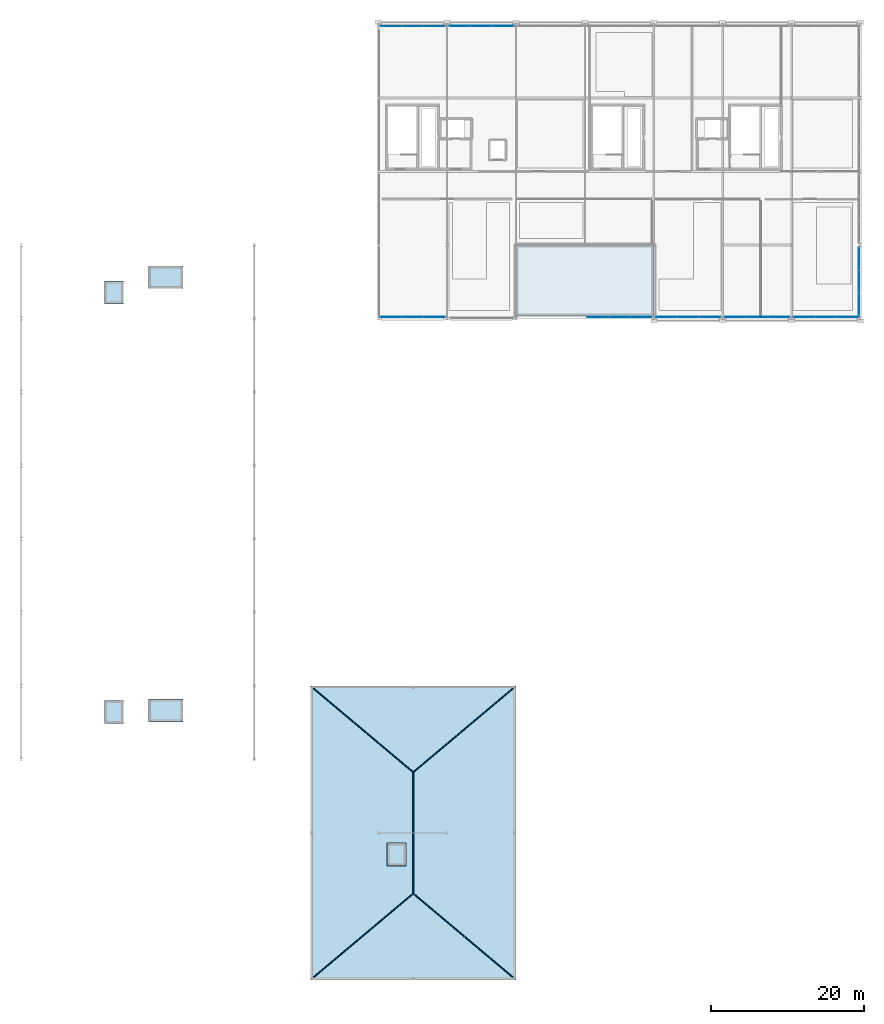
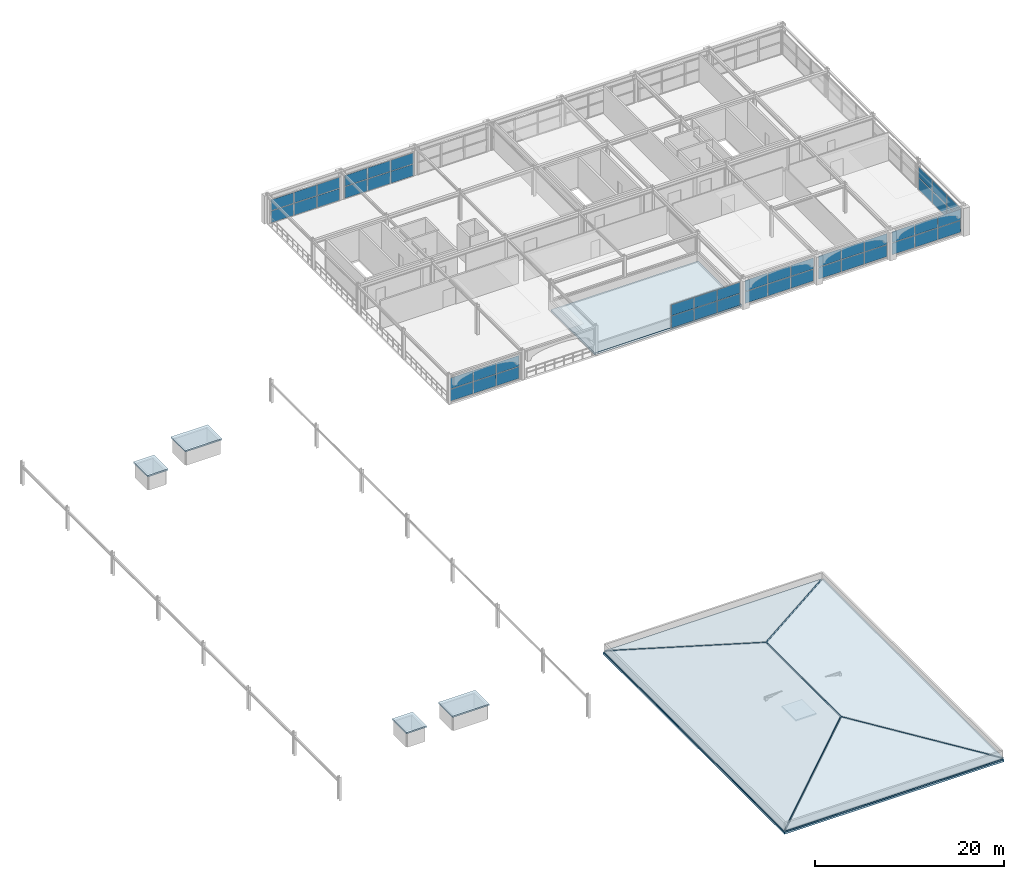
# One storey, part 17 of 25: 48 plates, 11 slabs, 8 elements without a shape of their own.
"""IFC4 building model written with IfcOpenShell, lengths in metres."""

from ifc_helpers import new_model, si_unit, direction, frame, origin, origin_2d, place, context, subcontext, project, spatial, polyline, rectangle, outline, extrude, material, layer, layer_set, type_object, element, aggregate, save


model = new_model("IFC4")

# Units and contexts
model_context = context("Model", 3, precision=1e-05, world=origin(), true_north=direction((0.0, 1.0)))
body_context = subcontext(model_context, "Body", "Model", "MODEL_VIEW")
ifc_project = project(units=[si_unit("LENGTHUNIT", "METRE"), si_unit("AREAUNIT", "SQUARE_METRE"), si_unit("VOLUMEUNIT", "CUBIC_METRE"), si_unit("PLANEANGLEUNIT", "RADIAN"), si_unit("MASSUNIT", "GRAM", prefix="KILO")], contexts=[model_context])

# Site, building, storey
site_placement = place(None, origin())
site = spatial("IfcSite", under=ifc_project, at=site_placement, CompositionType="ELEMENT")
building_placement = place(site_placement, origin())
building = spatial("IfcBuilding", under=site, at=building_placement, Name="Myrtia Square Station", CompositionType="ELEMENT")
storey_placement = place(building_placement, frame((0.0, 0.0, 18.89990234375)))
storey = spatial("IfcBuildingStorey", under=building, at=storey_placement, Name="L04", CompositionType="ELEMENT", Elevation=18.89990234375)

# Curtain wall, plates
ifc_material_1 = material(Name="Dark bronze anodised aluminium", Category="aluminium")
ifc_layer_1 = layer(ifc_material_1, 0.159912109375, Name="Dark bronze anodised aluminium")
ifc_layer_set_1 = layer_set([ifc_layer_1], Name="Dark bronze anodised aluminium")
curtain_wall_type_1 = type_object("IfcCurtainWallType", Name="CW-TYPE-43-850x310", PredefinedType="USERDEFINED", material=ifc_layer_set_1)
curtain_wall_1_placement = place(storey_placement, origin())
curtain_wall_1 = element("IfcCurtainWall", 1, at=curtain_wall_1_placement, inside=storey, type_object=curtain_wall_type_1, Name="Concourse curtain wall CW-L04-140", ObjectType="CONCOURSE CURTAIN WALL", PredefinedType="USERDEFINED")
ifc_material_2 = material(Name="Tinted low-E solar control glass", Category="glass")
ifc_layer_2 = layer(ifc_material_2, 0.02392578125, Name="Tinted low-E solar control glass")
ifc_layer_set_2 = layer_set([ifc_layer_2], Name="Tinted low-E solar control glass")
plate_type_1 = type_object("IfcPlateType", Name="CWP-GLZ-24", PredefinedType="CURTAIN_PANEL", material=ifc_layer_set_2)
plate_1_placement = place(storey_placement, frame((163.681640625, 86.60009765625, 0.06005859375), z_axis=(0.0, 0.0, 1.0), x_axis=(1.0, 0.0, 0.0)))
plate_1 = element("IfcPlate", 2, at=plate_1_placement, type_object=plate_type_1, Name="CW-140 panel 1.1", PredefinedType="CURTAIN_PANEL", context=body_context, shape_type="SweptSolid", body=[
    extrude(rectangle(XDim=2.743408203125, YDim=0.02392578125, at=origin_2d()), origin(), (0.0, 0.0, 1.0), 1.52197265625),
])
plate_2_placement = place(storey_placement, frame((163.681640625, 86.60009765625, 1.64208984375), z_axis=(0.0, 0.0, 1.0), x_axis=(1.0, 0.0, 0.0)))
plate_2 = element("IfcPlate", 3, at=plate_2_placement, type_object=plate_type_1, Name="CW-140 panel 1.2", PredefinedType="CURTAIN_PANEL", context=body_context, shape_type="SweptSolid", body=[
    extrude(rectangle(XDim=2.743408203125, YDim=0.02392578125, at=origin_2d()), origin(), (0.0, 0.0, 1.0), 1.39794921875),
])
plate_3_placement = place(storey_placement, frame((166.5, 86.60009765625, 0.06005859375), z_axis=(0.0, 0.0, 1.0), x_axis=(1.0, 0.0, 0.0)))
plate_3 = element("IfcPlate", 4, at=plate_3_placement, type_object=plate_type_1, Name="CW-140 panel 2.1", PredefinedType="CURTAIN_PANEL", context=body_context, shape_type="SweptSolid", body=[
    extrude(rectangle(XDim=2.7734375, YDim=0.02392578125, at=origin_2d()), origin(), (0.0, 0.0, 1.0), 1.52197265625),
])
plate_4_placement = place(storey_placement, frame((166.5, 86.60009765625, 1.64208984375), z_axis=(0.0, 0.0, 1.0), x_axis=(1.0, 0.0, 0.0)))
plate_4 = element("IfcPlate", 5, at=plate_4_placement, type_object=plate_type_1, Name="CW-140 panel 2.2", PredefinedType="CURTAIN_PANEL", context=body_context, shape_type="SweptSolid", body=[
    extrude(rectangle(XDim=2.7734375, YDim=0.02392578125, at=origin_2d()), origin(), (0.0, 0.0, 1.0), 1.39794921875),
])
plate_5_placement = place(storey_placement, frame((169.318359375, 86.60009765625, 0.06005859375), z_axis=(0.0, 0.0, 1.0), x_axis=(1.0, 0.0, 0.0)))
plate_5 = element("IfcPlate", 6, at=plate_5_placement, type_object=plate_type_1, Name="CW-140 panel 3.1", PredefinedType="CURTAIN_PANEL", context=body_context, shape_type="SweptSolid", body=[
    extrude(rectangle(XDim=2.743408203125, YDim=0.02392578125, at=origin_2d()), origin(), (0.0, 0.0, 1.0), 1.52197265625),
])
plate_6_placement = place(storey_placement, frame((169.318359375, 86.60009765625, 1.64208984375), z_axis=(0.0, 0.0, 1.0), x_axis=(1.0, 0.0, 0.0)))
plate_6 = element("IfcPlate", 7, at=plate_6_placement, type_object=plate_type_1, Name="CW-140 panel 3.2", PredefinedType="CURTAIN_PANEL", context=body_context, shape_type="SweptSolid", body=[
    extrude(rectangle(XDim=2.743408203125, YDim=0.02392578125, at=origin_2d()), origin(), (0.0, 0.0, 1.0), 1.39794921875),
])
aggregate(curtain_wall_1, [plate_1, plate_2, plate_3, plate_4, plate_5, plate_6])

curtain_wall_2_placement = place(storey_placement, origin())
curtain_wall_2 = element("IfcCurtainWall", 8, at=curtain_wall_2_placement, inside=storey, type_object=curtain_wall_type_1, Name="Concourse curtain wall CW-L04-145", ObjectType="CONCOURSE CURTAIN WALL", PredefinedType="USERDEFINED")
ifc_layer_3 = layer(ifc_material_2, 0.028076171875, Name="Tinted low-E solar control glass")
ifc_layer_set_3 = layer_set([ifc_layer_3], Name="Tinted low-E solar control glass")
plate_type_2 = type_object("IfcPlateType", Name="CWP-GLZ-28", PredefinedType="CURTAIN_PANEL", material=ifc_layer_set_3)
plate_7_placement = place(storey_placement, frame((172.681640625, 86.60009765625, 0.06005859375), z_axis=(0.0, 0.0, 1.0), x_axis=(1.0, 0.0, 0.0)))
plate_7 = element("IfcPlate", 9, at=plate_7_placement, type_object=plate_type_2, Name="CW-145 panel 1.1", PredefinedType="CURTAIN_PANEL", context=body_context, shape_type="SweptSolid", body=[
    extrude(rectangle(XDim=2.743408203125, YDim=0.028076171875, at=origin_2d()), origin(), (0.0, 0.0, 1.0), 1.52197265625),
])
plate_8_placement = place(storey_placement, frame((172.681640625, 86.60009765625, 1.64208984375), z_axis=(0.0, 0.0, 1.0), x_axis=(1.0, 0.0, 0.0)))
plate_8 = element("IfcPlate", 10, at=plate_8_placement, type_object=plate_type_2, Name="CW-145 panel 1.2", PredefinedType="CURTAIN_PANEL", context=body_context, shape_type="SweptSolid", body=[
    extrude(rectangle(XDim=2.743408203125, YDim=0.028076171875, at=origin_2d()), origin(), (0.0, 0.0, 1.0), 1.39794921875),
])
plate_9_placement = place(storey_placement, frame((175.5, 86.60009765625, 0.06005859375), z_axis=(0.0, 0.0, 1.0), x_axis=(1.0, 0.0, 0.0)))
plate_9 = element("IfcPlate", 11, at=plate_9_placement, type_object=plate_type_2, Name="CW-145 panel 2.1", PredefinedType="CURTAIN_PANEL", context=body_context, shape_type="SweptSolid", body=[
    extrude(rectangle(XDim=2.7734375, YDim=0.028076171875, at=origin_2d()), origin(), (0.0, 0.0, 1.0), 1.52197265625),
])
plate_10_placement = place(storey_placement, frame((175.5, 86.60009765625, 1.64208984375), z_axis=(0.0, 0.0, 1.0), x_axis=(1.0, 0.0, 0.0)))
plate_10 = element("IfcPlate", 12, at=plate_10_placement, type_object=plate_type_2, Name="CW-145 panel 2.2", PredefinedType="CURTAIN_PANEL", context=body_context, shape_type="SweptSolid", body=[
    extrude(rectangle(XDim=2.7734375, YDim=0.028076171875, at=origin_2d()), origin(), (0.0, 0.0, 1.0), 1.39794921875),
])
plate_11_placement = place(storey_placement, frame((178.318359375, 86.60009765625, 0.06005859375), z_axis=(0.0, 0.0, 1.0), x_axis=(1.0, 0.0, 0.0)))
plate_11 = element("IfcPlate", 13, at=plate_11_placement, type_object=plate_type_2, Name="CW-145 panel 3.1", PredefinedType="CURTAIN_PANEL", context=body_context, shape_type="SweptSolid", body=[
    extrude(rectangle(XDim=2.743408203125, YDim=0.028076171875, at=origin_2d()), origin(), (0.0, 0.0, 1.0), 1.52197265625),
])
plate_12_placement = place(storey_placement, frame((178.318359375, 86.60009765625, 1.64208984375), z_axis=(0.0, 0.0, 1.0), x_axis=(1.0, 0.0, 0.0)))
plate_12 = element("IfcPlate", 14, at=plate_12_placement, type_object=plate_type_2, Name="CW-145 panel 3.2", PredefinedType="CURTAIN_PANEL", context=body_context, shape_type="SweptSolid", body=[
    extrude(rectangle(XDim=2.743408203125, YDim=0.028076171875, at=origin_2d()), origin(), (0.0, 0.0, 1.0), 1.39794921875),
])
aggregate(curtain_wall_2, [plate_7, plate_8, plate_9, plate_10, plate_11, plate_12])

ifc_layer_4 = layer(ifc_material_1, 0.159912109375, Name="Dark bronze anodised aluminium")
ifc_layer_set_4 = layer_set([ifc_layer_4], Name="Dark bronze anodised aluminium")
curtain_wall_type_2 = type_object("IfcCurtainWallType", Name="CW-TYPE-46-910x310", PredefinedType="USERDEFINED", material=ifc_layer_set_4)
curtain_wall_3_placement = place(storey_placement, origin())
curtain_wall_3 = element("IfcCurtainWall", 15, at=curtain_wall_3_placement, inside=storey, type_object=curtain_wall_type_2, Name="Concourse curtain wall CW-L04-151", ObjectType="CONCOURSE CURTAIN WALL", PredefinedType="USERDEFINED")
plate_13_placement = place(storey_placement, frame((188.800048828125, 88.185302734375, 0.0751953125), z_axis=(0.0, 0.0, 1.0), x_axis=(0.0, 1.0, 0.0)))
plate_13 = element("IfcPlate", 16, at=plate_13_placement, type_object=plate_type_2, Name="CW-151 panel 1.1", PredefinedType="CURTAIN_PANEL", context=body_context, shape_type="SweptSolid", body=[
    extrude(rectangle(XDim=2.9208984375, YDim=0.028076171875, at=origin_2d()), origin(), (0.0, 0.0, 1.0), 1.49951171875),
])
plate_14_placement = place(storey_placement, frame((188.800048828125, 88.185302734375, 1.649658203125), z_axis=(0.0, 0.0, 1.0), x_axis=(0.0, 1.0, 0.0)))
plate_14 = element("IfcPlate", 17, at=plate_14_placement, type_object=plate_type_2, Name="CW-151 panel 1.2", PredefinedType="CURTAIN_PANEL", context=body_context, shape_type="SweptSolid", body=[
    extrude(rectangle(XDim=2.9208984375, YDim=0.028076171875, at=origin_2d()), origin(), (0.0, 0.0, 1.0), 1.37548828125),
])
plate_15_placement = place(storey_placement, frame((188.800048828125, 91.199951171875, 0.0751953125), z_axis=(0.0, 0.0, 1.0), x_axis=(0.0, 1.0, 0.0)))
plate_15 = element("IfcPlate", 18, at=plate_15_placement, type_object=plate_type_2, Name="CW-151 panel 2.1", PredefinedType="CURTAIN_PANEL", context=body_context, shape_type="SweptSolid", body=[
    extrude(rectangle(XDim=2.958251953125, YDim=0.028076171875, at=origin_2d()), origin(), (0.0, 0.0, 1.0), 1.49951171875),
])
plate_16_placement = place(storey_placement, frame((188.800048828125, 91.199951171875, 1.649658203125), z_axis=(0.0, 0.0, 1.0), x_axis=(0.0, 1.0, 0.0)))
plate_16 = element("IfcPlate", 19, at=plate_16_placement, type_object=plate_type_2, Name="CW-151 panel 2.2", PredefinedType="CURTAIN_PANEL", context=body_context, shape_type="SweptSolid", body=[
    extrude(rectangle(XDim=2.958251953125, YDim=0.028076171875, at=origin_2d()), origin(), (0.0, 0.0, 1.0), 1.37548828125),
])
plate_17_placement = place(storey_placement, frame((188.800048828125, 94.214599609375, 0.0751953125), z_axis=(0.0, 0.0, 1.0), x_axis=(0.0, 1.0, 0.0)))
plate_17 = element("IfcPlate", 20, at=plate_17_placement, type_object=plate_type_2, Name="CW-151 panel 3.1", PredefinedType="CURTAIN_PANEL", context=body_context, shape_type="SweptSolid", body=[
    extrude(rectangle(XDim=2.9208984375, YDim=0.028076171875, at=origin_2d()), origin(), (0.0, 0.0, 1.0), 1.49951171875),
])
plate_18_placement = place(storey_placement, frame((188.800048828125, 94.214599609375, 1.649658203125), z_axis=(0.0, 0.0, 1.0), x_axis=(0.0, 1.0, 0.0)))
plate_18 = element("IfcPlate", 21, at=plate_18_placement, type_object=plate_type_2, Name="CW-151 panel 3.2", PredefinedType="CURTAIN_PANEL", context=body_context, shape_type="SweptSolid", body=[
    extrude(rectangle(XDim=2.9208984375, YDim=0.028076171875, at=origin_2d()), origin(), (0.0, 0.0, 1.0), 1.37548828125),
])
aggregate(curtain_wall_3, [plate_13, plate_14, plate_15, plate_16, plate_17, plate_18])

ifc_layer_5 = layer(ifc_material_1, 0.159912109375, Name="Dark bronze anodised aluminium")
ifc_layer_set_5 = layer_set([ifc_layer_5], Name="Dark bronze anodised aluminium")
curtain_wall_type_3 = type_object("IfcCurtainWallType", Name="CW-TYPE-42-850x310", PredefinedType="USERDEFINED", material=ifc_layer_set_5)
curtain_wall_4_placement = place(storey_placement, origin())
curtain_wall_4 = element("IfcCurtainWall", 22, at=curtain_wall_4_placement, inside=storey, type_object=curtain_wall_type_3, Name="Concourse curtain wall CW-L04-121", ObjectType="CONCOURSE CURTAIN WALL", PredefinedType="USERDEFINED")
ifc_layer_6 = layer(ifc_material_2, 0.031982421875, Name="Tinted low-E solar control glass")
ifc_layer_set_6 = layer_set([ifc_layer_6], Name="Tinted low-E solar control glass")
plate_type_3 = type_object("IfcPlateType", Name="CWP-GLZ-32", PredefinedType="CURTAIN_PANEL", material=ifc_layer_set_6)
plate_19_placement = place(storey_placement, frame((127.682861328125, 124.60009765625, 0.06494140625), z_axis=(0.0, 0.0, 1.0), x_axis=(1.0, 0.0, 0.0)))
plate_19 = element("IfcPlate", 23, at=plate_19_placement, type_object=plate_type_3, Name="CW-121 panel 1.1", PredefinedType="CURTAIN_PANEL", context=body_context, shape_type="SweptSolid", body=[
    extrude(rectangle(XDim=2.73583984375, YDim=0.031982421875, at=origin_2d()), origin(), (0.0, 0.0, 1.0), 1.514404296875),
])
plate_20_placement = place(storey_placement, frame((127.682861328125, 124.60009765625, 1.64453125), z_axis=(0.0, 0.0, 1.0), x_axis=(1.0, 0.0, 0.0)))
plate_20 = element("IfcPlate", 24, at=plate_20_placement, type_object=plate_type_3, Name="CW-121 panel 1.2", PredefinedType="CURTAIN_PANEL", context=body_context, shape_type="SweptSolid", body=[
    extrude(rectangle(XDim=2.73583984375, YDim=0.031982421875, at=origin_2d()), origin(), (0.0, 0.0, 1.0), 1.390380859375),
])
plate_21_placement = place(storey_placement, frame((130.5, 124.60009765625, 0.06494140625), z_axis=(0.0, 0.0, 1.0), x_axis=(1.0, 0.0, 0.0)))
plate_21 = element("IfcPlate", 25, at=plate_21_placement, type_object=plate_type_3, Name="CW-121 panel 2.1", PredefinedType="CURTAIN_PANEL", context=body_context, shape_type="SweptSolid", body=[
    extrude(rectangle(XDim=2.768310546875, YDim=0.031982421875, at=origin_2d()), origin(), (0.0, 0.0, 1.0), 1.514404296875),
])
plate_22_placement = place(storey_placement, frame((130.5, 124.60009765625, 1.64453125), z_axis=(0.0, 0.0, 1.0), x_axis=(1.0, 0.0, 0.0)))
plate_22 = element("IfcPlate", 26, at=plate_22_placement, type_object=plate_type_3, Name="CW-121 panel 2.2", PredefinedType="CURTAIN_PANEL", context=body_context, shape_type="SweptSolid", body=[
    extrude(rectangle(XDim=2.768310546875, YDim=0.031982421875, at=origin_2d()), origin(), (0.0, 0.0, 1.0), 1.390380859375),
])
plate_23_placement = place(storey_placement, frame((133.317138671875, 124.60009765625, 0.06494140625), z_axis=(0.0, 0.0, 1.0), x_axis=(1.0, 0.0, 0.0)))
plate_23 = element("IfcPlate", 27, at=plate_23_placement, type_object=plate_type_3, Name="CW-121 panel 3.1", PredefinedType="CURTAIN_PANEL", context=body_context, shape_type="SweptSolid", body=[
    extrude(rectangle(XDim=2.73583984375, YDim=0.031982421875, at=origin_2d()), origin(), (0.0, 0.0, 1.0), 1.514404296875),
])
plate_24_placement = place(storey_placement, frame((133.317138671875, 124.60009765625, 1.64453125), z_axis=(0.0, 0.0, 1.0), x_axis=(1.0, 0.0, 0.0)))
plate_24 = element("IfcPlate", 28, at=plate_24_placement, type_object=plate_type_3, Name="CW-121 panel 3.2", PredefinedType="CURTAIN_PANEL", context=body_context, shape_type="SweptSolid", body=[
    extrude(rectangle(XDim=2.73583984375, YDim=0.031982421875, at=origin_2d()), origin(), (0.0, 0.0, 1.0), 1.390380859375),
])
aggregate(curtain_wall_4, [plate_19, plate_20, plate_21, plate_22, plate_23, plate_24])

curtain_wall_5_placement = place(storey_placement, origin())
curtain_wall_5 = element("IfcCurtainWall", 29, at=curtain_wall_5_placement, inside=storey, type_object=curtain_wall_type_1, Name="Concourse curtain wall CW-L04-122", ObjectType="CONCOURSE CURTAIN WALL", PredefinedType="USERDEFINED")
plate_25_placement = place(storey_placement, frame((127.681640625, 86.60009765625, 0.06005859375), z_axis=(0.0, 0.0, 1.0), x_axis=(1.0, 0.0, 0.0)))
plate_25 = element("IfcPlate", 30, at=plate_25_placement, type_object=plate_type_3, Name="CW-122 panel 1.1", PredefinedType="CURTAIN_PANEL", context=body_context, shape_type="SweptSolid", body=[
    extrude(rectangle(XDim=2.743408203125, YDim=0.031982421875, at=origin_2d()), origin(), (0.0, 0.0, 1.0), 1.52197265625),
])
plate_26_placement = place(storey_placement, frame((127.681640625, 86.60009765625, 1.64208984375), z_axis=(0.0, 0.0, 1.0), x_axis=(1.0, 0.0, 0.0)))
plate_26 = element("IfcPlate", 31, at=plate_26_placement, type_object=plate_type_3, Name="CW-122 panel 1.2", PredefinedType="CURTAIN_PANEL", context=body_context, shape_type="SweptSolid", body=[
    extrude(rectangle(XDim=2.743408203125, YDim=0.031982421875, at=origin_2d()), origin(), (0.0, 0.0, 1.0), 1.39794921875),
])
plate_27_placement = place(storey_placement, frame((130.5, 86.60009765625, 0.06005859375), z_axis=(0.0, 0.0, 1.0), x_axis=(1.0, 0.0, 0.0)))
plate_27 = element("IfcPlate", 32, at=plate_27_placement, type_object=plate_type_3, Name="CW-122 panel 2.1", PredefinedType="CURTAIN_PANEL", context=body_context, shape_type="SweptSolid", body=[
    extrude(rectangle(XDim=2.7734375, YDim=0.031982421875, at=origin_2d()), origin(), (0.0, 0.0, 1.0), 1.52197265625),
])
plate_28_placement = place(storey_placement, frame((130.5, 86.60009765625, 1.64208984375), z_axis=(0.0, 0.0, 1.0), x_axis=(1.0, 0.0, 0.0)))
plate_28 = element("IfcPlate", 33, at=plate_28_placement, type_object=plate_type_3, Name="CW-122 panel 2.2", PredefinedType="CURTAIN_PANEL", context=body_context, shape_type="SweptSolid", body=[
    extrude(rectangle(XDim=2.7734375, YDim=0.031982421875, at=origin_2d()), origin(), (0.0, 0.0, 1.0), 1.39794921875),
])
plate_29_placement = place(storey_placement, frame((133.318359375, 86.60009765625, 0.06005859375), z_axis=(0.0, 0.0, 1.0), x_axis=(1.0, 0.0, 0.0)))
plate_29 = element("IfcPlate", 34, at=plate_29_placement, type_object=plate_type_3, Name="CW-122 panel 3.1", PredefinedType="CURTAIN_PANEL", context=body_context, shape_type="SweptSolid", body=[
    extrude(rectangle(XDim=2.743408203125, YDim=0.031982421875, at=origin_2d()), origin(), (0.0, 0.0, 1.0), 1.52197265625),
])
plate_30_placement = place(storey_placement, frame((133.318359375, 86.60009765625, 1.64208984375), z_axis=(0.0, 0.0, 1.0), x_axis=(1.0, 0.0, 0.0)))
plate_30 = element("IfcPlate", 35, at=plate_30_placement, type_object=plate_type_3, Name="CW-122 panel 3.2", PredefinedType="CURTAIN_PANEL", context=body_context, shape_type="SweptSolid", body=[
    extrude(rectangle(XDim=2.743408203125, YDim=0.031982421875, at=origin_2d()), origin(), (0.0, 0.0, 1.0), 1.39794921875),
])
aggregate(curtain_wall_5, [plate_25, plate_26, plate_27, plate_28, plate_29, plate_30])

curtain_wall_6_placement = place(storey_placement, origin())
curtain_wall_6 = element("IfcCurtainWall", 36, at=curtain_wall_6_placement, inside=storey, type_object=curtain_wall_type_1, Name="Concourse curtain wall CW-L04-150", ObjectType="CONCOURSE CURTAIN WALL", PredefinedType="USERDEFINED")
plate_31_placement = place(storey_placement, frame((181.681640625, 86.60009765625, 0.06005859375), z_axis=(0.0, 0.0, 1.0), x_axis=(1.0, 0.0, 0.0)))
plate_31 = element("IfcPlate", 37, at=plate_31_placement, type_object=plate_type_3, Name="CW-150 panel 1.1", PredefinedType="CURTAIN_PANEL", context=body_context, shape_type="SweptSolid", body=[
    extrude(rectangle(XDim=2.743408203125, YDim=0.031982421875, at=origin_2d()), origin(), (0.0, 0.0, 1.0), 1.52197265625),
])
plate_32_placement = place(storey_placement, frame((181.681640625, 86.60009765625, 1.64208984375), z_axis=(0.0, 0.0, 1.0), x_axis=(1.0, 0.0, 0.0)))
plate_32 = element("IfcPlate", 38, at=plate_32_placement, type_object=plate_type_3, Name="CW-150 panel 1.2", PredefinedType="CURTAIN_PANEL", context=body_context, shape_type="SweptSolid", body=[
    extrude(rectangle(XDim=2.743408203125, YDim=0.031982421875, at=origin_2d()), origin(), (0.0, 0.0, 1.0), 1.39794921875),
])
plate_33_placement = place(storey_placement, frame((184.5, 86.60009765625, 0.06005859375), z_axis=(0.0, 0.0, 1.0), x_axis=(1.0, 0.0, 0.0)))
plate_33 = element("IfcPlate", 39, at=plate_33_placement, type_object=plate_type_3, Name="CW-150 panel 2.1", PredefinedType="CURTAIN_PANEL", context=body_context, shape_type="SweptSolid", body=[
    extrude(rectangle(XDim=2.7734375, YDim=0.031982421875, at=origin_2d()), origin(), (0.0, 0.0, 1.0), 1.52197265625),
])
plate_34_placement = place(storey_placement, frame((184.5, 86.60009765625, 1.64208984375), z_axis=(0.0, 0.0, 1.0), x_axis=(1.0, 0.0, 0.0)))
plate_34 = element("IfcPlate", 40, at=plate_34_placement, type_object=plate_type_3, Name="CW-150 panel 2.2", PredefinedType="CURTAIN_PANEL", context=body_context, shape_type="SweptSolid", body=[
    extrude(rectangle(XDim=2.7734375, YDim=0.031982421875, at=origin_2d()), origin(), (0.0, 0.0, 1.0), 1.39794921875),
])
plate_35_placement = place(storey_placement, frame((187.318359375, 86.60009765625, 0.06005859375), z_axis=(0.0, 0.0, 1.0), x_axis=(1.0, 0.0, 0.0)))
plate_35 = element("IfcPlate", 41, at=plate_35_placement, type_object=plate_type_3, Name="CW-150 panel 3.1", PredefinedType="CURTAIN_PANEL", context=body_context, shape_type="SweptSolid", body=[
    extrude(rectangle(XDim=2.743408203125, YDim=0.031982421875, at=origin_2d()), origin(), (0.0, 0.0, 1.0), 1.52197265625),
])
plate_36_placement = place(storey_placement, frame((187.318359375, 86.60009765625, 1.64208984375), z_axis=(0.0, 0.0, 1.0), x_axis=(1.0, 0.0, 0.0)))
plate_36 = element("IfcPlate", 42, at=plate_36_placement, type_object=plate_type_3, Name="CW-150 panel 3.2", PredefinedType="CURTAIN_PANEL", context=body_context, shape_type="SweptSolid", body=[
    extrude(rectangle(XDim=2.743408203125, YDim=0.031982421875, at=origin_2d()), origin(), (0.0, 0.0, 1.0), 1.39794921875),
])
aggregate(curtain_wall_6, [plate_31, plate_32, plate_33, plate_34, plate_35, plate_36])

curtain_wall_7_placement = place(storey_placement, origin())
curtain_wall_7 = element("IfcCurtainWall", 43, at=curtain_wall_7_placement, inside=storey, type_object=curtain_wall_type_3, Name="Concourse curtain wall CW-L04-126", ObjectType="CONCOURSE CURTAIN WALL", PredefinedType="USERDEFINED")
ifc_layer_7 = layer(ifc_material_2, 0.035888671875, Name="Tinted low-E solar control glass")
ifc_layer_set_7 = layer_set([ifc_layer_7], Name="Tinted low-E solar control glass")
plate_type_4 = type_object("IfcPlateType", Name="CWP-GLZ-36", PredefinedType="CURTAIN_PANEL", material=ifc_layer_set_7)
plate_37_placement = place(storey_placement, frame((136.682861328125, 124.60009765625, 0.06494140625), z_axis=(0.0, 0.0, 1.0), x_axis=(1.0, 0.0, 0.0)))
plate_37 = element("IfcPlate", 44, at=plate_37_placement, type_object=plate_type_4, Name="CW-126 panel 1.1", PredefinedType="CURTAIN_PANEL", context=body_context, shape_type="SweptSolid", body=[
    extrude(rectangle(XDim=2.73583984375, YDim=0.035888671875, at=origin_2d()), origin(), (0.0, 0.0, 1.0), 1.514404296875),
])
plate_38_placement = place(storey_placement, frame((136.682861328125, 124.60009765625, 1.64453125), z_axis=(0.0, 0.0, 1.0), x_axis=(1.0, 0.0, 0.0)))
plate_38 = element("IfcPlate", 45, at=plate_38_placement, type_object=plate_type_4, Name="CW-126 panel 1.2", PredefinedType="CURTAIN_PANEL", context=body_context, shape_type="SweptSolid", body=[
    extrude(rectangle(XDim=2.73583984375, YDim=0.035888671875, at=origin_2d()), origin(), (0.0, 0.0, 1.0), 1.390380859375),
])
plate_39_placement = place(storey_placement, frame((139.5, 124.60009765625, 0.06494140625), z_axis=(0.0, 0.0, 1.0), x_axis=(1.0, 0.0, 0.0)))
plate_39 = element("IfcPlate", 46, at=plate_39_placement, type_object=plate_type_4, Name="CW-126 panel 2.1", PredefinedType="CURTAIN_PANEL", context=body_context, shape_type="SweptSolid", body=[
    extrude(rectangle(XDim=2.768310546875, YDim=0.035888671875, at=origin_2d()), origin(), (0.0, 0.0, 1.0), 1.514404296875),
])
plate_40_placement = place(storey_placement, frame((139.5, 124.60009765625, 1.64453125), z_axis=(0.0, 0.0, 1.0), x_axis=(1.0, 0.0, 0.0)))
plate_40 = element("IfcPlate", 47, at=plate_40_placement, type_object=plate_type_4, Name="CW-126 panel 2.2", PredefinedType="CURTAIN_PANEL", context=body_context, shape_type="SweptSolid", body=[
    extrude(rectangle(XDim=2.768310546875, YDim=0.035888671875, at=origin_2d()), origin(), (0.0, 0.0, 1.0), 1.390380859375),
])
plate_41_placement = place(storey_placement, frame((142.317138671875, 124.60009765625, 0.06494140625), z_axis=(0.0, 0.0, 1.0), x_axis=(1.0, 0.0, 0.0)))
plate_41 = element("IfcPlate", 48, at=plate_41_placement, type_object=plate_type_4, Name="CW-126 panel 3.1", PredefinedType="CURTAIN_PANEL", context=body_context, shape_type="SweptSolid", body=[
    extrude(rectangle(XDim=2.73583984375, YDim=0.035888671875, at=origin_2d()), origin(), (0.0, 0.0, 1.0), 1.514404296875),
])
plate_42_placement = place(storey_placement, frame((142.317138671875, 124.60009765625, 1.64453125), z_axis=(0.0, 0.0, 1.0), x_axis=(1.0, 0.0, 0.0)))
plate_42 = element("IfcPlate", 49, at=plate_42_placement, type_object=plate_type_4, Name="CW-126 panel 3.2", PredefinedType="CURTAIN_PANEL", context=body_context, shape_type="SweptSolid", body=[
    extrude(rectangle(XDim=2.73583984375, YDim=0.035888671875, at=origin_2d()), origin(), (0.0, 0.0, 1.0), 1.390380859375),
])
aggregate(curtain_wall_7, [plate_37, plate_38, plate_39, plate_40, plate_41, plate_42])

curtain_wall_8_placement = place(storey_placement, origin())
curtain_wall_8 = element("IfcCurtainWall", 50, at=curtain_wall_8_placement, inside=storey, type_object=curtain_wall_type_1, Name="Concourse curtain wall CW-L04-135", ObjectType="CONCOURSE CURTAIN WALL", PredefinedType="USERDEFINED")
plate_43_placement = place(storey_placement, frame((154.681640625, 86.60009765625, 0.06005859375), z_axis=(0.0, 0.0, 1.0), x_axis=(1.0, 0.0, 0.0)))
plate_43 = element("IfcPlate", 51, at=plate_43_placement, type_object=plate_type_4, Name="CW-135 panel 1.1", PredefinedType="CURTAIN_PANEL", context=body_context, shape_type="SweptSolid", body=[
    extrude(rectangle(XDim=2.743408203125, YDim=0.035888671875, at=origin_2d()), origin(), (0.0, 0.0, 1.0), 1.52197265625),
])
plate_44_placement = place(storey_placement, frame((154.681640625, 86.60009765625, 1.64208984375), z_axis=(0.0, 0.0, 1.0), x_axis=(1.0, 0.0, 0.0)))
plate_44 = element("IfcPlate", 52, at=plate_44_placement, type_object=plate_type_4, Name="CW-135 panel 1.2", PredefinedType="CURTAIN_PANEL", context=body_context, shape_type="SweptSolid", body=[
    extrude(rectangle(XDim=2.743408203125, YDim=0.035888671875, at=origin_2d()), origin(), (0.0, 0.0, 1.0), 1.39794921875),
])
plate_45_placement = place(storey_placement, frame((157.5, 86.60009765625, 0.06005859375), z_axis=(0.0, 0.0, 1.0), x_axis=(1.0, 0.0, 0.0)))
plate_45 = element("IfcPlate", 53, at=plate_45_placement, type_object=plate_type_4, Name="CW-135 panel 2.1", PredefinedType="CURTAIN_PANEL", context=body_context, shape_type="SweptSolid", body=[
    extrude(rectangle(XDim=2.7734375, YDim=0.035888671875, at=origin_2d()), origin(), (0.0, 0.0, 1.0), 1.52197265625),
])
plate_46_placement = place(storey_placement, frame((157.5, 86.60009765625, 1.64208984375), z_axis=(0.0, 0.0, 1.0), x_axis=(1.0, 0.0, 0.0)))
plate_46 = element("IfcPlate", 54, at=plate_46_placement, type_object=plate_type_4, Name="CW-135 panel 2.2", PredefinedType="CURTAIN_PANEL", context=body_context, shape_type="SweptSolid", body=[
    extrude(rectangle(XDim=2.7734375, YDim=0.035888671875, at=origin_2d()), origin(), (0.0, 0.0, 1.0), 1.39794921875),
])
plate_47_placement = place(storey_placement, frame((160.318359375, 86.60009765625, 0.06005859375), z_axis=(0.0, 0.0, 1.0), x_axis=(1.0, 0.0, 0.0)))
plate_47 = element("IfcPlate", 55, at=plate_47_placement, type_object=plate_type_4, Name="CW-135 panel 3.1", PredefinedType="CURTAIN_PANEL", context=body_context, shape_type="SweptSolid", body=[
    extrude(rectangle(XDim=2.743408203125, YDim=0.035888671875, at=origin_2d()), origin(), (0.0, 0.0, 1.0), 1.52197265625),
])
plate_48_placement = place(storey_placement, frame((160.318359375, 86.60009765625, 1.64208984375), z_axis=(0.0, 0.0, 1.0), x_axis=(1.0, 0.0, 0.0)))
plate_48 = element("IfcPlate", 56, at=plate_48_placement, type_object=plate_type_4, Name="CW-135 panel 3.2", PredefinedType="CURTAIN_PANEL", context=body_context, shape_type="SweptSolid", body=[
    extrude(rectangle(XDim=2.743408203125, YDim=0.035888671875, at=origin_2d()), origin(), (0.0, 0.0, 1.0), 1.39794921875),
])
aggregate(curtain_wall_8, [plate_43, plate_44, plate_45, plate_46, plate_47, plate_48])

# Slabs
ifc_material_3 = material(Name="Concrete C35/45", Category="concrete")
ifc_layer_8 = layer(ifc_material_3, 0.18505859375, Name="Concrete C35/45")
ifc_layer_set_8 = layer_set([ifc_layer_8], Name="Concrete C35/45")
slab_type_1 = type_object("IfcSlabType", Name="SLB-HIP-185", PredefinedType="ROOF", material=ifc_layer_set_8)
for number, where, z_axis, x_axis, name in (
    (57, (117.14990234375, 38.2890625, 0.192138671875), (-0.235141287788, 0.0, 0.971961200243), (0.0, -1.0, 0.0), "Spanish terracotta hipped roof HIP-V4W W"),
    (58, (144.0, 0.111083984375, 0.192138671875), (0.235141287788, 0.0, 0.971961200243), (0.0, 1.0, 0.0), "Spanish terracotta hipped roof HIP-V4W E"),
):
    element("IfcSlab", number, at=place(storey_placement, frame(where, z_axis=z_axis, x_axis=x_axis)), inside=storey, type_object=slab_type_1, Name=name, PredefinedType="ROOF", context=body_context, shape_type="SweptSolid", body=[
        extrude(outline(polyline([(0.0, 0.0), (38.177978515625, 0.0), (26.972412109375, 13.724918121517517), (11.20556640625, 13.724918121517517), (0.0, 0.0)])), origin(), (0.0, 0.0, -1.0), 0.18505859375),
    ])
slab_1_placement = place(storey_placement, frame((117.2822265625, 0.0, 0.192138671875), z_axis=(0.0, -0.276771206356, 0.960935845586), x_axis=(1.0, 0.0, 0.0)))
element("IfcSlab", 59, at=slab_1_placement, inside=storey, type_object=slab_type_1, Name="Spanish terracotta hipped roof HIP-V4W S", PredefinedType="ROOF", context=body_context, shape_type="SweptSolid", body=[
    extrude(outline(polyline([(0.0, 0.0), (26.585693359375, 0.0), (13.292724609375, 11.619938704846868), (0.0, 0.0)])), origin(), (0.0, 0.0, -1.0), 0.18505859375),
])
slab_2_placement = place(storey_placement, frame((143.867919921875, 38.39990234375, 0.192138671875), z_axis=(0.0, 0.276771206356, 0.960935845586), x_axis=(-1.0, 0.0, 0.0)))
element("IfcSlab", 60, at=slab_2_placement, inside=storey, type_object=slab_type_1, Name="Spanish terracotta hipped roof HIP-V4W N", PredefinedType="ROOF", context=body_context, shape_type="SweptSolid", body=[
    extrude(outline(polyline([(0.0, 0.0), (26.585693359375, 0.0), (13.29296875, 11.619938704846868), (0.0, 0.0)])), origin(), (0.0, 0.0, -1.0), 0.18505859375),
])
ifc_layer_9 = layer(ifc_material_3, 0.179931640625, Name="Concrete C35/45")
ifc_layer_set_9 = layer_set([ifc_layer_9], Name="Concrete C35/45")
slab_type_2 = type_object("IfcSlabType", Name="SLB-OVR-180", PredefinedType="ROOF", material=ifc_layer_set_9)
slab_3_placement = place(storey_placement, frame((0.0, 0.0, 1.820068359375)))
element("IfcSlab", 61, at=slab_3_placement, inside=storey, type_object=slab_type_2, Name="Lift overrun cap slab PL-05", PredefinedType="ROOF", context=body_context, shape_type="SweptSolid", body=[
    extrude(outline(polyline([(90.25, 33.5), (92.75, 33.5), (92.75, 36.5), (90.25, 36.5), (90.25, 33.5)])), origin(), (0.0, 0.0, 1.0), 0.179931640625),
])
slab_4_placement = place(storey_placement, frame((0.0, 0.0, 1.820068359375)))
element("IfcSlab", 62, at=slab_4_placement, inside=storey, type_object=slab_type_2, Name="Lift overrun cap slab PL-06", PredefinedType="ROOF", context=body_context, shape_type="SweptSolid", body=[
    extrude(outline(polyline([(90.25, 88.300048828125), (92.75, 88.300048828125), (92.75, 91.300048828125), (90.25, 91.300048828125), (90.25, 88.300048828125)])), origin(), (0.0, 0.0, 1.0), 0.179931640625),
])
slab_5_placement = place(storey_placement, frame((0.0, 0.0, 1.820068359375)))
element("IfcSlab", 63, at=slab_5_placement, inside=storey, type_object=slab_type_2, Name="Lift overrun cap slab PL-07", PredefinedType="ROOF", context=body_context, shape_type="SweptSolid", body=[
    extrude(outline(polyline([(127.14990234375, 14.89990234375), (129.64990234375, 14.89990234375), (129.64990234375, 17.89990234375), (127.14990234375, 17.89990234375), (127.14990234375, 14.89990234375)])), origin(), (0.0, 0.0, 1.0), 0.179931640625),
])
slab_6_placement = place(storey_placement, frame((0.0, 0.0, 1.820068359375)))
element("IfcSlab", 64, at=slab_6_placement, inside=storey, type_object=slab_type_2, Name="Lift overrun cap slab FFL-01", PredefinedType="ROOF", context=body_context, shape_type="SweptSolid", body=[
    extrude(outline(polyline([(96.0, 33.68994140625), (100.5, 33.68994140625), (100.5, 36.68994140625), (96.0, 36.68994140625), (96.0, 33.68994140625)])), origin(), (0.0, 0.0, 1.0), 0.179931640625),
])
slab_7_placement = place(storey_placement, frame((0.0, 0.0, 1.820068359375)))
element("IfcSlab", 65, at=slab_7_placement, inside=storey, type_object=slab_type_2, Name="Lift overrun cap slab FFL-02", PredefinedType="ROOF", context=body_context, shape_type="SweptSolid", body=[
    extrude(outline(polyline([(96.0, 90.2900390625), (100.5, 90.2900390625), (100.5, 93.2900390625), (96.0, 93.2900390625), (96.0, 90.2900390625)])), origin(), (0.0, 0.0, 1.0), 0.179931640625),
])
ifc_layer_10 = layer(ifc_material_3, 0.2451171875, Name="Concrete C35/45")
ifc_layer_set_10 = layer_set([ifc_layer_10], Name="Concrete C35/45")
slab_type_3 = type_object("IfcSlabType", Name="SLB-ROOF-245", PredefinedType="ROOF", material=ifc_layer_set_10)
slab_8_placement = place(storey_placement, frame((0.0, 0.0, -0.244873046875)))
element("IfcSlab", 66, at=slab_8_placement, inside=storey, type_object=slab_type_3, Name="Flat roof deck ROOF-L04-V4", PredefinedType="ROOF", context=body_context, shape_type="SweptSolid", body=[
    extrude(outline(polyline([(117.14990234375, 0.0), (144.0, 0.0), (144.0, 38.39990234375), (117.14990234375, 38.39990234375), (117.14990234375, 0.0)])), origin(), (0.0, 0.0, 1.0), 0.244873046875),
])
slab_9_placement = place(storey_placement, frame((0.0, 0.0, -0.244873046875)))
element("IfcSlab", 67, at=slab_9_placement, inside=storey, type_object=slab_type_3, Name="Flat roof deck ROOF-L04-V5M", PredefinedType="ROOF", context=body_context, shape_type="SweptSolid", body=[
    extrude(outline(polyline([(144.010009765625, 86.7099609375), (161.989990234375, 86.7099609375), (161.989990234375, 95.989990234375), (144.010009765625, 95.989990234375), (144.010009765625, 86.7099609375)])), origin(), (0.0, 0.0, 1.0), 0.244873046875),
])

save(model, "model.ifc")
